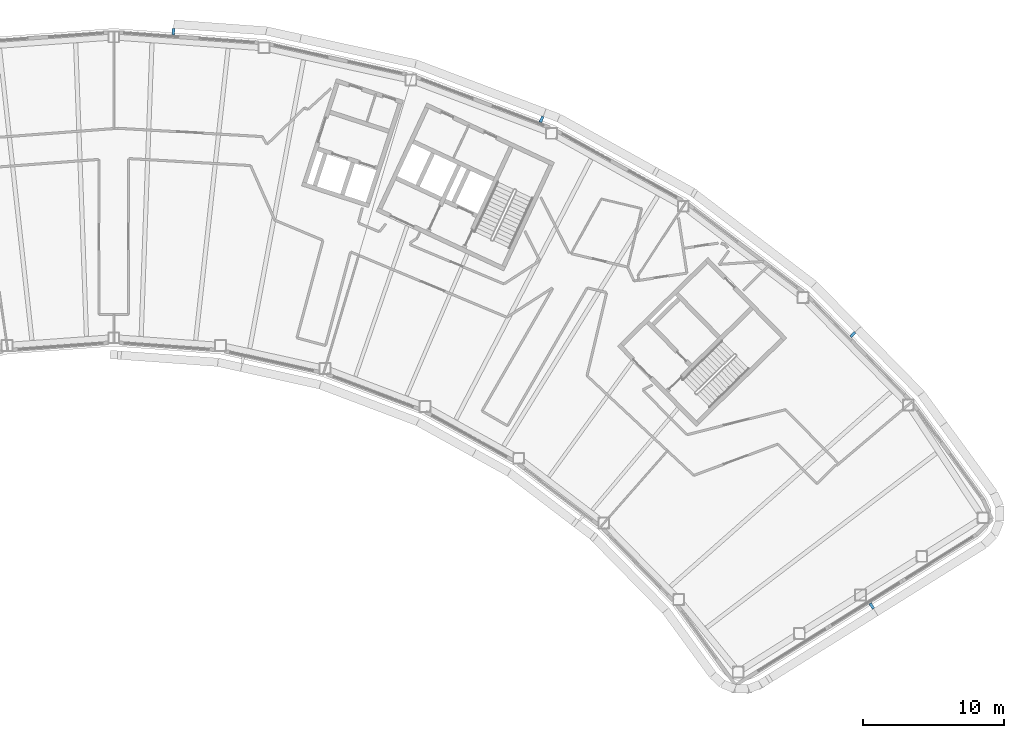
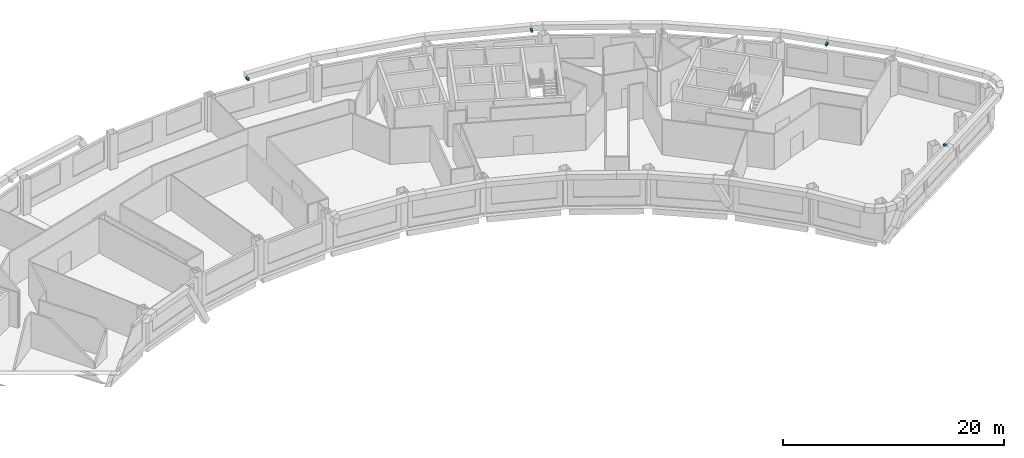
# One storey, part 13 of 16: 4 discrete accessories.
"""IFC4 building model written with IfcOpenShell, lengths in metres."""

from ifc_helpers import new_model, si_unit, direction, frame, origin, origin_2d, place, context, subcontext, project, spatial, rectangle, extrude, material, type_object, element, save


model = new_model("IFC4")

# Units and contexts
model_context = context("Model", 3, precision=1e-05, world=origin(), true_north=direction((0.0, 1.0)))
body_context = subcontext(model_context, "Body", "Model", "MODEL_VIEW")
ifc_project = project(units=[si_unit("LENGTHUNIT", "METRE"), si_unit("AREAUNIT", "SQUARE_METRE"), si_unit("VOLUMEUNIT", "CUBIC_METRE"), si_unit("PLANEANGLEUNIT", "RADIAN"), si_unit("MASSUNIT", "GRAM", prefix="KILO")], contexts=[model_context])

# Site, building, storey
site_placement = place(None, origin())
site = spatial("IfcSite", under=ifc_project, at=site_placement, CompositionType="ELEMENT")
building_placement = place(site_placement, origin())
building = spatial("IfcBuilding", under=site, at=building_placement, Name="Tuul Gate Civic Tower", CompositionType="ELEMENT")
storey_placement = place(building_placement, frame((0.0, 0.0, 298.39990234375)))
storey = spatial("IfcBuildingStorey", under=building, at=storey_placement, Name="Level 67", CompositionType="ELEMENT", Elevation=298.39990234375)

# Discrete accessories
ifc_material = material(Name="Stainless steel", Category="steel")
discrete_accessory_type = type_object("IfcDiscreteAccessoryType", Name="Screen bracket", PredefinedType="BRACKET", material=ifc_material)
discrete_accessory_1_placement = place(storey_placement, frame((59.2236328125, -11.904296875, 3.75), z_axis=(0.0, 0.0, 1.0), x_axis=(0.704894233887, 0.709312426955, 0.0)))
element("IfcDiscreteAccessory", 1, at=discrete_accessory_1_placement, inside=storey, type_object=discrete_accessory_type, Name="Screen bracket 3", PredefinedType="BRACKET", context=body_context, shape_type="SweptSolid", body=[
    extrude(rectangle(XDim=0.449951171875, YDim=0.199951171875, at=origin_2d()), origin(), (0.0, 0.0, 1.0), 0.199951171875),
])
discrete_accessory_2_placement = place(storey_placement, frame((37.143310546875, 3.37548828125, 3.75), z_axis=(0.0, 0.0, 1.0), x_axis=(0.407420542734, 0.913240659059, 0.0)))
element("IfcDiscreteAccessory", 2, at=discrete_accessory_2_placement, inside=storey, type_object=discrete_accessory_type, Name="Screen bracket 6", PredefinedType="BRACKET", context=body_context, shape_type="SweptSolid", body=[
    extrude(rectangle(XDim=0.45068359375, YDim=0.199951171875, at=origin_2d()), origin(), (0.0, 0.0, 1.0), 0.199951171875),
])
discrete_accessory_3_placement = place(storey_placement, frame((11.01416015625, 9.6025390625, 3.75), z_axis=(0.0, 0.0, 1.0), x_axis=(0.056807793651, 0.998385133393, 0.0)))
element("IfcDiscreteAccessory", 3, at=discrete_accessory_3_placement, inside=storey, type_object=discrete_accessory_type, Name="Screen bracket 9", PredefinedType="BRACKET", context=body_context, shape_type="SweptSolid", body=[
    extrude(rectangle(XDim=0.4501953125, YDim=0.199951171875, at=origin_2d()), origin(), (0.0, 0.0, 1.0), 0.199951171875),
])
discrete_accessory_4_placement = place(storey_placement, frame((60.56884765625, -31.1494140625, 3.75), z_axis=(0.0, 0.0, 1.0), x_axis=(0.536424954277, -0.84394802472, 0.0)))
element("IfcDiscreteAccessory", 4, at=discrete_accessory_4_placement, inside=storey, type_object=discrete_accessory_type, Name="Screen bracket 33", PredefinedType="BRACKET", context=body_context, shape_type="SweptSolid", body=[
    extrude(rectangle(XDim=0.449951171875, YDim=0.199951171875, at=origin_2d()), origin(), (0.0, 0.0, 1.0), 0.199951171875),
])

save(model, "model.ifc")
